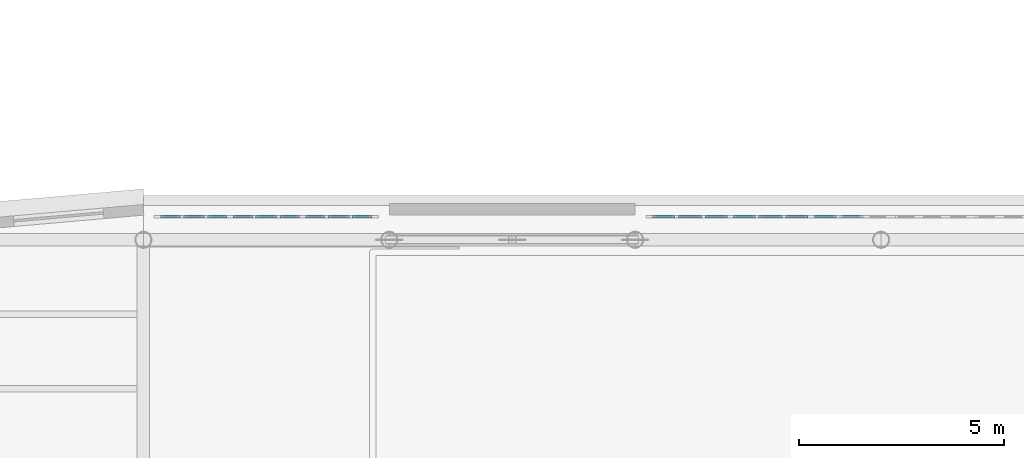
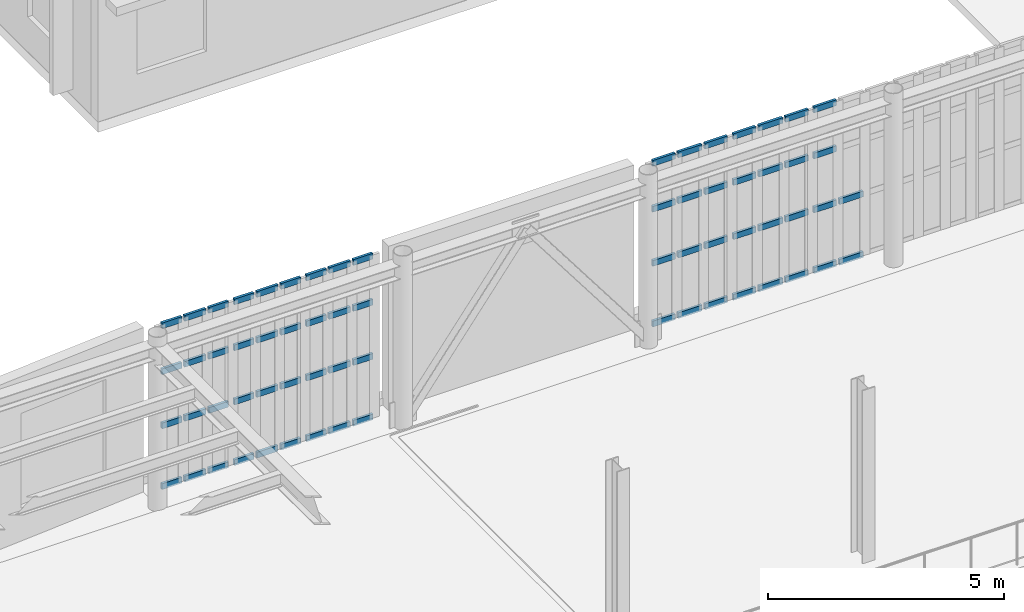
# One storey, part 39 of 91: 66 members, 6 elements without a shape of their own.
"""IFC4 building model written with IfcOpenShell, lengths in metres."""

import ifcopenshell
import ifcopenshell.guid

model = None  # the IFC model being written
_history = None  # IfcOwnerHistory: only IFC2X3 demands one
_inside = {}  # id of a spatial element -> (the spatial element, [elements in it])
_under = {}  # id of a project, library or spatial element -> (it, [spatial elements below it])
_declared = {}  # id of a project -> (the project, [libraries it declares])
_typed = {}  # id of a type object -> (the type object, [elements of that type])
_made_of = {}  # id of a material, layer set ... -> (it, [elements and type objects made of it])


def new_model(schema):
    """Start an empty IFC model of exactly this schema.

    Asked for "IFC4X3", IfcOpenShell would pick the latest addendum, in which some entities
    have other attributes; the version numbers below select the first issue.
    IFC2X3 requires an IfcOwnerHistory on every rooted entity: one is made here for all.
    """
    global model, _history
    if schema == "IFC4X3":
        model = ifcopenshell.file(schema_version=(4, 3, 0, 0))
    else:
        model = ifcopenshell.file(schema=schema)
    _inside.clear()
    _under.clear()
    _declared.clear()
    _typed.clear()
    _made_of.clear()
    _history = None
    if model.schema == "IFC2X3":
        org = make("IfcOrganization", Name="unknown")
        user = make(
            "IfcPersonAndOrganization",
            ThePerson=make("IfcPerson", FamilyName="unknown"),
            TheOrganization=org,
        )
        app = make(
            "IfcApplication",
            ApplicationDeveloper=org,
            Version="unknown",
            ApplicationFullName="unknown",
            ApplicationIdentifier="unknown",
        )
        _history = make(
            "IfcOwnerHistory",
            OwningUser=user,
            OwningApplication=app,
            ChangeAction="ADDED",
            CreationDate=0,
        )
    return model


def make(cls, **values):
    """One entity of the class cls with the attributes given. An attribute that is None is left unset."""
    return model.create_entity(
        cls, **{name: value for name, value in values.items() if value is not None}
    )


def rooted(cls, **values):
    """An entity with a GlobalId (a new one), such as an element, a storey or a relation."""
    return make(cls, GlobalId=ifcopenshell.guid.new(), OwnerHistory=_history, **values)


def si_unit(unit_type, name, prefix=None):
    """IfcSIUnit, for example si_unit("LENGTHUNIT", "METRE", prefix="MILLI")."""
    return make("IfcSIUnit", UnitType=unit_type, Prefix=prefix, Name=name)


def assignment(units):
    """IfcUnitAssignment: the units of a project."""
    return None if units is None else make("IfcUnitAssignment", Units=units)


def point(xyz):
    """IfcCartesianPoint."""
    return None if xyz is None else make("IfcCartesianPoint", Coordinates=xyz)


def direction(xyz):
    """IfcDirection."""
    return None if xyz is None else make("IfcDirection", DirectionRatios=xyz)


def frame(location, z_axis=None, x_axis=None):
    """IfcAxis2Placement3D, a coordinate frame: its origin and axes. An axis left out is left unset."""
    return make(
        "IfcAxis2Placement3D",
        Location=point(location),
        Axis=direction(z_axis),
        RefDirection=direction(x_axis),
    )


def frame_2d(location, x_axis=None):
    """IfcAxis2Placement2D, a coordinate frame in the plane: its origin and x axis."""
    return make(
        "IfcAxis2Placement2D", Location=point(location), RefDirection=direction(x_axis)
    )


def origin():
    """The frame at (0, 0, 0) with its axes left unset."""
    return frame((0.0, 0.0, 0.0))


def origin_2d():
    """The frame at (0, 0) in the plane with its x axis left unset."""
    return frame_2d((0.0, 0.0))


def place(relative_to, where):
    """IfcLocalPlacement: puts the frame where relative to a parent placement (None: the world)."""
    return make(
        "IfcLocalPlacement", PlacementRelTo=relative_to, RelativePlacement=where
    )


def context(
    kind, dimensions, precision=None, world=None, true_north=None, identifier=None
):
    """IfcGeometricRepresentationContext, for example the 3D "Model" context."""
    return make(
        "IfcGeometricRepresentationContext",
        ContextIdentifier=identifier,
        ContextType=kind,
        CoordinateSpaceDimension=dimensions,
        Precision=precision,
        WorldCoordinateSystem=world,
        TrueNorth=true_north,
    )


def subcontext(parent, identifier, kind, view, scale=None):
    """IfcGeometricRepresentationSubContext, for example "Body" below "Model"."""
    return make(
        "IfcGeometricRepresentationSubContext",
        ContextIdentifier=identifier,
        ContextType=kind,
        ParentContext=parent,
        TargetScale=scale,
        TargetView=view,
    )


def project(units=None, contexts=None):
    """IfcProject with its units and contexts."""
    return rooted(
        "IfcProject",
        Name="project",
        RepresentationContexts=contexts,
        UnitsInContext=assignment(units),
    )


def spatial(cls, under=None, at=None, **own):
    """A site, building, storey or space (cls), placed at a placement, below another one or the project."""
    s = rooted(cls, ObjectPlacement=at, **own)
    if under is not None:
        _under.setdefault(under.id(), (under, []))[1].append(s)
    return s


def profile(cls, at=None, kind="AREA", **sizes):
    """A parametric profile (cls). Its sizes go by their IFC names, for example OverallWidth=200.0."""
    return make(cls, ProfileType=kind, Position=at, **sizes)


def rectangle(**sizes):
    """IfcRectangleProfileDef."""
    return profile("IfcRectangleProfileDef", **sizes)


def extrude(swept, where, along, depth):
    """IfcExtrudedAreaSolid: the profile swept, set in the frame where, extruded along a direction by depth."""
    return make(
        "IfcExtrudedAreaSolid",
        SweptArea=swept,
        Position=where,
        ExtrudedDirection=direction(along),
        Depth=depth,
    )


def shape(context_of_items, identifier, shape_type, items):
    """IfcShapeRepresentation: the items that make up one representation, for example the "Body"."""
    return make(
        "IfcShapeRepresentation",
        ContextOfItems=context_of_items,
        RepresentationIdentifier=identifier,
        RepresentationType=shape_type,
        Items=items,
    )


def material(Name=None, Category=None):
    """IfcMaterial."""
    return make("IfcMaterial", Name=Name, Category=Category)


def material_profile(
    of_material, cross_section, Name=None, Category=None, Priority=None
):
    """IfcMaterialProfile: a cross section and its material."""
    return make(
        "IfcMaterialProfile",
        Name=Name,
        Material=of_material,
        Profile=cross_section,
        Priority=Priority,
        Category=Category,
    )


def profile_set(profiles, Name=None, composite=None):
    """IfcMaterialProfileSet."""
    return make(
        "IfcMaterialProfileSet",
        Name=Name,
        MaterialProfiles=profiles,
        CompositeProfile=composite,
    )


def made_of(thing, what):
    """Note that an element or type object is made of a material, layer set ...; save() writes the relation."""
    if what is not None:
        _made_of.setdefault(what.id(), (what, []))[1].append(thing)
    return thing


def type_object(cls, material=None, **own):
    """A type object (cls), such as IfcWallType, which elements share."""
    return made_of(rooted(cls, **own), material)


def element(
    cls,
    number,
    at=None,
    inside=None,
    cuts=None,
    type_object=None,
    material=None,
    context=None,
    identifier="Body",
    shape_type=None,
    held_by="IfcProductDefinitionShape",
    body=None,
    shapes=None,
    **own,
):
    """One element of the class cls, such as IfcWall. Its Tag is "e" and its number.

    at: its placement. inside: the storey or other place that contains it. cuts: it is an
    opening in that element (IfcRelVoidsElement). A single representation is given by context,
    identifier, shape_type and body (its items); several are given by shapes. held_by: the class
    of the entity that holds the representations. save() writes the other relations.
    """
    e = rooted(cls, Tag="e%d" % number, ObjectPlacement=at, **own)
    if body is not None:
        shapes = [shape(context, identifier, shape_type, body)]
    if shapes is not None:
        e.Representation = make(held_by, Representations=shapes)
    if inside is not None:
        _inside.setdefault(inside.id(), (inside, []))[1].append(e)
    if cuts is not None:
        rooted(
            "IfcRelVoidsElement", RelatingBuildingElement=cuts, RelatedOpeningElement=e
        )
    if type_object is not None:
        _typed.setdefault(type_object.id(), (type_object, []))[1].append(e)
    return made_of(e, material)


def aggregate(whole, parts):
    """IfcRelAggregates: a whole, such as a stair, and the parts it consists of."""
    return rooted("IfcRelAggregates", RelatingObject=whole, RelatedObjects=parts)


def save(model, path):
    """Write the relations noted so far, then the file.

    IfcRelAggregates (storeys below a building ...), IfcRelContainedInSpatialStructure (elements
    in a storey), IfcRelDefinesByType, IfcRelAssociatesMaterial and IfcRelDeclares: one each for
    every whole, place, type object, material and project.
    """
    for whole, parts in _under.values():
        aggregate(whole, parts)
    for where, things in _inside.values():
        rooted(
            "IfcRelContainedInSpatialStructure",
            RelatedElements=things,
            RelatingStructure=where,
        )
    for kind, things in _typed.values():
        rooted("IfcRelDefinesByType", RelatedObjects=things, RelatingType=kind)
    for what, things in _made_of.values():
        rooted("IfcRelAssociatesMaterial", RelatedObjects=things, RelatingMaterial=what)
    for by, libraries in _declared.values():
        rooted("IfcRelDeclares", RelatingContext=by, RelatedDefinitions=libraries)
    model.write(path)


model = new_model("IFC4")

# Units and contexts
model_context = context("Model", 3, precision=1e-05, world=origin(), true_north=direction((0.0, 1.0)))
body_context = subcontext(model_context, "Body", "Model", "MODEL_VIEW")
ifc_project = project(units=[si_unit("LENGTHUNIT", "METRE"), si_unit("AREAUNIT", "SQUARE_METRE"), si_unit("VOLUMEUNIT", "CUBIC_METRE"), si_unit("PLANEANGLEUNIT", "RADIAN"), si_unit("MASSUNIT", "GRAM", prefix="KILO")], contexts=[model_context])

# Site, building, storey
site_placement = place(None, origin())
site = spatial("IfcSite", under=ifc_project, at=site_placement, CompositionType="ELEMENT")
building_placement = place(site_placement, origin())
building = spatial("IfcBuilding", under=site, at=building_placement, Name="Kolvaren Corner Interchange", CompositionType="ELEMENT")
storey_placement = place(building_placement, frame((0.0, 0.0, 6.0)))
storey = spatial("IfcBuildingStorey", under=building, at=storey_placement, Name="L02", CompositionType="ELEMENT", Elevation=6.0)

# Curtain wall, members
ifc_material_1 = material(Name="Unitised Aluminium and Solar-Control Glass Curtain Wall", Category="aluminium")
curtain_wall_type = type_object("IfcCurtainWallType", Name="CW-V1-NORTH", PredefinedType="NOTDEFINED", material=ifc_material_1)
curtain_wall_1_placement = place(storey_placement, origin())
curtain_wall_1 = element("IfcCurtainWall", 1, at=curtain_wall_1_placement, inside=storey, type_object=curtain_wall_type, Name="North Concourse West Curtain Wall Bay 01", PredefinedType="NOTDEFINED")
ifc_material_2 = material(Name="Anodised Aluminium Framing", Category="aluminium")
ifc_material_profile = material_profile(ifc_material_2, rectangle(XDim=0.06494140625, YDim=0.14990234375, at=origin_2d()), Name="ALU 65x150")
ifc_profile_set = profile_set([ifc_material_profile], Name="Anodised Aluminium Framing")
member_type = type_object("IfcMemberType", Name="TRN-ALU65x150", PredefinedType="USERDEFINED", material=ifc_profile_set)
member_1_placement = place(storey_placement, frame((65.580078125, 71.659912109375, 0.032470703125), z_axis=(-1.0, 0.0, 0.0), x_axis=(0.0, -1.0, 0.0)))
member_1 = element("IfcMember", 2, at=member_1_placement, type_object=member_type, Name="CW-055 transom 1.1", ObjectType="TRANSOM", PredefinedType="USERDEFINED", context=body_context, shape_type="SweptSolid", body=[
    extrude(rectangle(XDim=0.06494140625, YDim=0.14990234375, at=origin_2d()), origin(), (0.0, 0.0, 1.0), 0.48388671875),
])
member_2_placement = place(storey_placement, frame((65.580078125, 71.659912109375, 1.60009765625), z_axis=(-1.0, 0.0, 0.0), x_axis=(0.0, -1.0, 0.0)))
member_2 = element("IfcMember", 3, at=member_2_placement, type_object=member_type, Name="CW-055 transom 1.2", ObjectType="TRANSOM", PredefinedType="USERDEFINED", context=body_context, shape_type="SweptSolid", body=[
    extrude(rectangle(XDim=0.06494140625, YDim=0.14990234375, at=origin_2d()), origin(), (0.0, 0.0, 1.0), 0.48388671875),
])
member_3_placement = place(storey_placement, frame((65.580078125, 71.659912109375, 3.0), z_axis=(-1.0, 0.0, 0.0), x_axis=(0.0, -1.0, 0.0)))
member_3 = element("IfcMember", 4, at=member_3_placement, type_object=member_type, Name="CW-055 transom 1.3", ObjectType="TRANSOM", PredefinedType="USERDEFINED", context=body_context, shape_type="SweptSolid", body=[
    extrude(rectangle(XDim=0.06494140625, YDim=0.14990234375, at=origin_2d()), origin(), (0.0, 0.0, 1.0), 0.48388671875),
])
member_4_placement = place(storey_placement, frame((65.580078125, 71.659912109375, 4.1875), z_axis=(-1.0, 0.0, 0.0), x_axis=(0.0, -1.0, 0.0)))
member_4 = element("IfcMember", 5, at=member_4_placement, type_object=member_type, Name="CW-055 transom 1.4", ObjectType="TRANSOM", PredefinedType="USERDEFINED", context=body_context, shape_type="SweptSolid", body=[
    extrude(rectangle(XDim=0.06494140625, YDim=0.14990234375, at=origin_2d()), origin(), (0.0, 0.0, 1.0), 0.48388671875),
])
member_5_placement = place(storey_placement, frame((65.026123046875, 71.659912109375, 0.032470703125), z_axis=(-1.0, 0.0, 0.0), x_axis=(0.0, -1.0, 0.0)))
member_5 = element("IfcMember", 6, at=member_5_placement, type_object=member_type, Name="CW-055 transom 2.1", ObjectType="TRANSOM", PredefinedType="USERDEFINED", context=body_context, shape_type="SweptSolid", body=[
    extrude(rectangle(XDim=0.06494140625, YDim=0.14990234375, at=origin_2d()), origin(), (0.0, 0.0, 1.0), 0.51904296875),
])
member_6_placement = place(storey_placement, frame((65.026123046875, 71.659912109375, 1.60009765625), z_axis=(-1.0, 0.0, 0.0), x_axis=(0.0, -1.0, 0.0)))
member_6 = element("IfcMember", 7, at=member_6_placement, type_object=member_type, Name="CW-055 transom 2.2", ObjectType="TRANSOM", PredefinedType="USERDEFINED", context=body_context, shape_type="SweptSolid", body=[
    extrude(rectangle(XDim=0.06494140625, YDim=0.14990234375, at=origin_2d()), origin(), (0.0, 0.0, 1.0), 0.51904296875),
])
member_7_placement = place(storey_placement, frame((65.026123046875, 71.659912109375, 3.0), z_axis=(-1.0, 0.0, 0.0), x_axis=(0.0, -1.0, 0.0)))
member_7 = element("IfcMember", 8, at=member_7_placement, type_object=member_type, Name="CW-055 transom 2.3", ObjectType="TRANSOM", PredefinedType="USERDEFINED", context=body_context, shape_type="SweptSolid", body=[
    extrude(rectangle(XDim=0.06494140625, YDim=0.14990234375, at=origin_2d()), origin(), (0.0, 0.0, 1.0), 0.51904296875),
])
member_8_placement = place(storey_placement, frame((65.026123046875, 71.659912109375, 4.1875), z_axis=(-1.0, 0.0, 0.0), x_axis=(0.0, -1.0, 0.0)))
member_8 = element("IfcMember", 9, at=member_8_placement, type_object=member_type, Name="CW-055 transom 2.4", ObjectType="TRANSOM", PredefinedType="USERDEFINED", context=body_context, shape_type="SweptSolid", body=[
    extrude(rectangle(XDim=0.06494140625, YDim=0.14990234375, at=origin_2d()), origin(), (0.0, 0.0, 1.0), 0.51904296875),
])
member_9_placement = place(storey_placement, frame((64.437255859375, 71.659912109375, 0.032470703125), z_axis=(-1.0, 0.0, 0.0), x_axis=(0.0, -1.0, 0.0)))
member_9 = element("IfcMember", 10, at=member_9_placement, type_object=member_type, Name="CW-055 transom 3.1", ObjectType="TRANSOM", PredefinedType="USERDEFINED", context=body_context, shape_type="SweptSolid", body=[
    extrude(rectangle(XDim=0.06494140625, YDim=0.14990234375, at=origin_2d()), origin(), (0.0, 0.0, 1.0), 0.48388671875),
])
member_10_placement = place(storey_placement, frame((64.437255859375, 71.659912109375, 1.60009765625), z_axis=(-1.0, 0.0, 0.0), x_axis=(0.0, -1.0, 0.0)))
member_10 = element("IfcMember", 11, at=member_10_placement, type_object=member_type, Name="CW-055 transom 3.2", ObjectType="TRANSOM", PredefinedType="USERDEFINED", context=body_context, shape_type="SweptSolid", body=[
    extrude(rectangle(XDim=0.06494140625, YDim=0.14990234375, at=origin_2d()), origin(), (0.0, 0.0, 1.0), 0.48388671875),
])
member_11_placement = place(storey_placement, frame((64.437255859375, 71.659912109375, 3.0), z_axis=(-1.0, 0.0, 0.0), x_axis=(0.0, -1.0, 0.0)))
member_11 = element("IfcMember", 12, at=member_11_placement, type_object=member_type, Name="CW-055 transom 3.3", ObjectType="TRANSOM", PredefinedType="USERDEFINED", context=body_context, shape_type="SweptSolid", body=[
    extrude(rectangle(XDim=0.06494140625, YDim=0.14990234375, at=origin_2d()), origin(), (0.0, 0.0, 1.0), 0.48388671875),
])
member_12_placement = place(storey_placement, frame((64.437255859375, 71.659912109375, 4.1875), z_axis=(-1.0, 0.0, 0.0), x_axis=(0.0, -1.0, 0.0)))
member_12 = element("IfcMember", 13, at=member_12_placement, type_object=member_type, Name="CW-055 transom 3.4", ObjectType="TRANSOM", PredefinedType="USERDEFINED", context=body_context, shape_type="SweptSolid", body=[
    extrude(rectangle(XDim=0.06494140625, YDim=0.14990234375, at=origin_2d()), origin(), (0.0, 0.0, 1.0), 0.48388671875),
])
aggregate(curtain_wall_1, [member_1, member_2, member_3, member_4, member_5, member_6, member_7, member_8, member_9, member_10, member_11, member_12])

curtain_wall_2_placement = place(storey_placement, origin())
curtain_wall_2 = element("IfcCurtainWall", 14, at=curtain_wall_2_placement, inside=storey, type_object=curtain_wall_type, Name="North Concourse West Curtain Wall Bay 02", PredefinedType="NOTDEFINED")
member_13_placement = place(storey_placement, frame((63.813232421875, 71.659912109375, 0.032470703125), z_axis=(-1.0, 0.0, 0.0), x_axis=(0.0, -1.0, 0.0)))
member_13 = element("IfcMember", 15, at=member_13_placement, type_object=member_type, Name="CW-056 transom 1.1", ObjectType="TRANSOM", PredefinedType="USERDEFINED", context=body_context, shape_type="SweptSolid", body=[
    extrude(rectangle(XDim=0.06494140625, YDim=0.14990234375, at=origin_2d()), origin(), (0.0, 0.0, 1.0), 0.48388671875),
])
member_14_placement = place(storey_placement, frame((63.813232421875, 71.659912109375, 1.60009765625), z_axis=(-1.0, 0.0, 0.0), x_axis=(0.0, -1.0, 0.0)))
member_14 = element("IfcMember", 16, at=member_14_placement, type_object=member_type, Name="CW-056 transom 1.2", ObjectType="TRANSOM", PredefinedType="USERDEFINED", context=body_context, shape_type="SweptSolid", body=[
    extrude(rectangle(XDim=0.06494140625, YDim=0.14990234375, at=origin_2d()), origin(), (0.0, 0.0, 1.0), 0.48388671875),
])
member_15_placement = place(storey_placement, frame((63.813232421875, 71.659912109375, 3.0), z_axis=(-1.0, 0.0, 0.0), x_axis=(0.0, -1.0, 0.0)))
member_15 = element("IfcMember", 17, at=member_15_placement, type_object=member_type, Name="CW-056 transom 1.3", ObjectType="TRANSOM", PredefinedType="USERDEFINED", context=body_context, shape_type="SweptSolid", body=[
    extrude(rectangle(XDim=0.06494140625, YDim=0.14990234375, at=origin_2d()), origin(), (0.0, 0.0, 1.0), 0.48388671875),
])
member_16_placement = place(storey_placement, frame((63.813232421875, 71.659912109375, 4.1875), z_axis=(-1.0, 0.0, 0.0), x_axis=(0.0, -1.0, 0.0)))
member_16 = element("IfcMember", 18, at=member_16_placement, type_object=member_type, Name="CW-056 transom 1.4", ObjectType="TRANSOM", PredefinedType="USERDEFINED", context=body_context, shape_type="SweptSolid", body=[
    extrude(rectangle(XDim=0.06494140625, YDim=0.14990234375, at=origin_2d()), origin(), (0.0, 0.0, 1.0), 0.48388671875),
])
member_17_placement = place(storey_placement, frame((63.259521484375, 71.659912109375, 0.032470703125), z_axis=(-1.0, 0.0, 0.0), x_axis=(0.0, -1.0, 0.0)))
member_17 = element("IfcMember", 19, at=member_17_placement, type_object=member_type, Name="CW-056 transom 2.1", ObjectType="TRANSOM", PredefinedType="USERDEFINED", context=body_context, shape_type="SweptSolid", body=[
    extrude(rectangle(XDim=0.06494140625, YDim=0.14990234375, at=origin_2d()), origin(), (0.0, 0.0, 1.0), 0.51904296875),
])
member_18_placement = place(storey_placement, frame((63.259521484375, 71.659912109375, 1.60009765625), z_axis=(-1.0, 0.0, 0.0), x_axis=(0.0, -1.0, 0.0)))
member_18 = element("IfcMember", 20, at=member_18_placement, type_object=member_type, Name="CW-056 transom 2.2", ObjectType="TRANSOM", PredefinedType="USERDEFINED", context=body_context, shape_type="SweptSolid", body=[
    extrude(rectangle(XDim=0.06494140625, YDim=0.14990234375, at=origin_2d()), origin(), (0.0, 0.0, 1.0), 0.51904296875),
])
member_19_placement = place(storey_placement, frame((63.259521484375, 71.659912109375, 3.0), z_axis=(-1.0, 0.0, 0.0), x_axis=(0.0, -1.0, 0.0)))
member_19 = element("IfcMember", 21, at=member_19_placement, type_object=member_type, Name="CW-056 transom 2.3", ObjectType="TRANSOM", PredefinedType="USERDEFINED", context=body_context, shape_type="SweptSolid", body=[
    extrude(rectangle(XDim=0.06494140625, YDim=0.14990234375, at=origin_2d()), origin(), (0.0, 0.0, 1.0), 0.51904296875),
])
member_20_placement = place(storey_placement, frame((63.259521484375, 71.659912109375, 4.1875), z_axis=(-1.0, 0.0, 0.0), x_axis=(0.0, -1.0, 0.0)))
member_20 = element("IfcMember", 22, at=member_20_placement, type_object=member_type, Name="CW-056 transom 2.4", ObjectType="TRANSOM", PredefinedType="USERDEFINED", context=body_context, shape_type="SweptSolid", body=[
    extrude(rectangle(XDim=0.06494140625, YDim=0.14990234375, at=origin_2d()), origin(), (0.0, 0.0, 1.0), 0.51904296875),
])
member_21_placement = place(storey_placement, frame((62.670654296875, 71.659912109375, 0.032470703125), z_axis=(-1.0, 0.0, 0.0), x_axis=(0.0, -1.0, 0.0)))
member_21 = element("IfcMember", 23, at=member_21_placement, type_object=member_type, Name="CW-056 transom 3.1", ObjectType="TRANSOM", PredefinedType="USERDEFINED", context=body_context, shape_type="SweptSolid", body=[
    extrude(rectangle(XDim=0.06494140625, YDim=0.14990234375, at=origin_2d()), origin(), (0.0, 0.0, 1.0), 0.48388671875),
])
member_22_placement = place(storey_placement, frame((62.670654296875, 71.659912109375, 1.60009765625), z_axis=(-1.0, 0.0, 0.0), x_axis=(0.0, -1.0, 0.0)))
member_22 = element("IfcMember", 24, at=member_22_placement, type_object=member_type, Name="CW-056 transom 3.2", ObjectType="TRANSOM", PredefinedType="USERDEFINED", context=body_context, shape_type="SweptSolid", body=[
    extrude(rectangle(XDim=0.06494140625, YDim=0.14990234375, at=origin_2d()), origin(), (0.0, 0.0, 1.0), 0.48388671875),
])
member_23_placement = place(storey_placement, frame((62.670654296875, 71.659912109375, 3.0), z_axis=(-1.0, 0.0, 0.0), x_axis=(0.0, -1.0, 0.0)))
member_23 = element("IfcMember", 25, at=member_23_placement, type_object=member_type, Name="CW-056 transom 3.3", ObjectType="TRANSOM", PredefinedType="USERDEFINED", context=body_context, shape_type="SweptSolid", body=[
    extrude(rectangle(XDim=0.06494140625, YDim=0.14990234375, at=origin_2d()), origin(), (0.0, 0.0, 1.0), 0.48388671875),
])
member_24_placement = place(storey_placement, frame((62.670654296875, 71.659912109375, 4.1875), z_axis=(-1.0, 0.0, 0.0), x_axis=(0.0, -1.0, 0.0)))
member_24 = element("IfcMember", 26, at=member_24_placement, type_object=member_type, Name="CW-056 transom 3.4", ObjectType="TRANSOM", PredefinedType="USERDEFINED", context=body_context, shape_type="SweptSolid", body=[
    extrude(rectangle(XDim=0.06494140625, YDim=0.14990234375, at=origin_2d()), origin(), (0.0, 0.0, 1.0), 0.48388671875),
])
aggregate(curtain_wall_2, [member_13, member_14, member_15, member_16, member_17, member_18, member_19, member_20, member_21, member_22, member_23, member_24])

curtain_wall_3_placement = place(storey_placement, origin())
curtain_wall_3 = element("IfcCurtainWall", 27, at=curtain_wall_3_placement, inside=storey, type_object=curtain_wall_type, Name="North Concourse West Curtain Wall Bay 03", PredefinedType="NOTDEFINED")
member_25_placement = place(storey_placement, frame((62.046630859375, 71.659912109375, 0.032470703125), z_axis=(-1.0, 0.0, 0.0), x_axis=(0.0, -1.0, 0.0)))
member_25 = element("IfcMember", 28, at=member_25_placement, type_object=member_type, Name="CW-057 transom 1.1", ObjectType="TRANSOM", PredefinedType="USERDEFINED", context=body_context, shape_type="SweptSolid", body=[
    extrude(rectangle(XDim=0.06494140625, YDim=0.14990234375, at=origin_2d()), origin(), (0.0, 0.0, 1.0), 0.48388671875),
])
member_26_placement = place(storey_placement, frame((62.046630859375, 71.659912109375, 1.60009765625), z_axis=(-1.0, 0.0, 0.0), x_axis=(0.0, -1.0, 0.0)))
member_26 = element("IfcMember", 29, at=member_26_placement, type_object=member_type, Name="CW-057 transom 1.2", ObjectType="TRANSOM", PredefinedType="USERDEFINED", context=body_context, shape_type="SweptSolid", body=[
    extrude(rectangle(XDim=0.06494140625, YDim=0.14990234375, at=origin_2d()), origin(), (0.0, 0.0, 1.0), 0.48388671875),
])
member_27_placement = place(storey_placement, frame((62.046630859375, 71.659912109375, 3.0), z_axis=(-1.0, 0.0, 0.0), x_axis=(0.0, -1.0, 0.0)))
member_27 = element("IfcMember", 30, at=member_27_placement, type_object=member_type, Name="CW-057 transom 1.3", ObjectType="TRANSOM", PredefinedType="USERDEFINED", context=body_context, shape_type="SweptSolid", body=[
    extrude(rectangle(XDim=0.06494140625, YDim=0.14990234375, at=origin_2d()), origin(), (0.0, 0.0, 1.0), 0.48388671875),
])
member_28_placement = place(storey_placement, frame((62.046630859375, 71.659912109375, 4.1875), z_axis=(-1.0, 0.0, 0.0), x_axis=(0.0, -1.0, 0.0)))
member_28 = element("IfcMember", 31, at=member_28_placement, type_object=member_type, Name="CW-057 transom 1.4", ObjectType="TRANSOM", PredefinedType="USERDEFINED", context=body_context, shape_type="SweptSolid", body=[
    extrude(rectangle(XDim=0.06494140625, YDim=0.14990234375, at=origin_2d()), origin(), (0.0, 0.0, 1.0), 0.48388671875),
])
member_29_placement = place(storey_placement, frame((61.492919921875, 71.659912109375, 0.032470703125), z_axis=(-1.0, 0.0, 0.0), x_axis=(0.0, -1.0, 0.0)))
member_29 = element("IfcMember", 32, at=member_29_placement, type_object=member_type, Name="CW-057 transom 2.1", ObjectType="TRANSOM", PredefinedType="USERDEFINED", context=body_context, shape_type="SweptSolid", body=[
    extrude(rectangle(XDim=0.06494140625, YDim=0.14990234375, at=origin_2d()), origin(), (0.0, 0.0, 1.0), 0.51904296875),
])
member_30_placement = place(storey_placement, frame((61.492919921875, 71.659912109375, 1.60009765625), z_axis=(-1.0, 0.0, 0.0), x_axis=(0.0, -1.0, 0.0)))
member_30 = element("IfcMember", 33, at=member_30_placement, type_object=member_type, Name="CW-057 transom 2.2", ObjectType="TRANSOM", PredefinedType="USERDEFINED", context=body_context, shape_type="SweptSolid", body=[
    extrude(rectangle(XDim=0.06494140625, YDim=0.14990234375, at=origin_2d()), origin(), (0.0, 0.0, 1.0), 0.51904296875),
])
member_31_placement = place(storey_placement, frame((61.492919921875, 71.659912109375, 3.0), z_axis=(-1.0, 0.0, 0.0), x_axis=(0.0, -1.0, 0.0)))
member_31 = element("IfcMember", 34, at=member_31_placement, type_object=member_type, Name="CW-057 transom 2.3", ObjectType="TRANSOM", PredefinedType="USERDEFINED", context=body_context, shape_type="SweptSolid", body=[
    extrude(rectangle(XDim=0.06494140625, YDim=0.14990234375, at=origin_2d()), origin(), (0.0, 0.0, 1.0), 0.51904296875),
])
member_32_placement = place(storey_placement, frame((61.492919921875, 71.659912109375, 4.1875), z_axis=(-1.0, 0.0, 0.0), x_axis=(0.0, -1.0, 0.0)))
member_32 = element("IfcMember", 35, at=member_32_placement, type_object=member_type, Name="CW-057 transom 2.4", ObjectType="TRANSOM", PredefinedType="USERDEFINED", context=body_context, shape_type="SweptSolid", body=[
    extrude(rectangle(XDim=0.06494140625, YDim=0.14990234375, at=origin_2d()), origin(), (0.0, 0.0, 1.0), 0.51904296875),
])
member_33_placement = place(storey_placement, frame((60.90380859375, 71.659912109375, 0.032470703125), z_axis=(-1.0, 0.0, 0.0), x_axis=(0.0, -1.0, 0.0)))
member_33 = element("IfcMember", 36, at=member_33_placement, type_object=member_type, Name="CW-057 transom 3.1", ObjectType="TRANSOM", PredefinedType="USERDEFINED", context=body_context, shape_type="SweptSolid", body=[
    extrude(rectangle(XDim=0.06494140625, YDim=0.14990234375, at=origin_2d()), origin(), (0.0, 0.0, 1.0), 0.48388671875),
])
member_34_placement = place(storey_placement, frame((60.90380859375, 71.659912109375, 1.60009765625), z_axis=(-1.0, 0.0, 0.0), x_axis=(0.0, -1.0, 0.0)))
member_34 = element("IfcMember", 37, at=member_34_placement, type_object=member_type, Name="CW-057 transom 3.2", ObjectType="TRANSOM", PredefinedType="USERDEFINED", context=body_context, shape_type="SweptSolid", body=[
    extrude(rectangle(XDim=0.06494140625, YDim=0.14990234375, at=origin_2d()), origin(), (0.0, 0.0, 1.0), 0.48388671875),
])
member_35_placement = place(storey_placement, frame((60.90380859375, 71.659912109375, 3.0), z_axis=(-1.0, 0.0, 0.0), x_axis=(0.0, -1.0, 0.0)))
member_35 = element("IfcMember", 38, at=member_35_placement, type_object=member_type, Name="CW-057 transom 3.3", ObjectType="TRANSOM", PredefinedType="USERDEFINED", context=body_context, shape_type="SweptSolid", body=[
    extrude(rectangle(XDim=0.06494140625, YDim=0.14990234375, at=origin_2d()), origin(), (0.0, 0.0, 1.0), 0.48388671875),
])
member_36_placement = place(storey_placement, frame((60.90380859375, 71.659912109375, 4.1875), z_axis=(-1.0, 0.0, 0.0), x_axis=(0.0, -1.0, 0.0)))
member_36 = element("IfcMember", 39, at=member_36_placement, type_object=member_type, Name="CW-057 transom 3.4", ObjectType="TRANSOM", PredefinedType="USERDEFINED", context=body_context, shape_type="SweptSolid", body=[
    extrude(rectangle(XDim=0.06494140625, YDim=0.14990234375, at=origin_2d()), origin(), (0.0, 0.0, 1.0), 0.48388671875),
])
aggregate(curtain_wall_3, [member_25, member_26, member_27, member_28, member_29, member_30, member_31, member_32, member_33, member_34, member_35, member_36])

curtain_wall_4_placement = place(storey_placement, origin())
curtain_wall_4 = element("IfcCurtainWall", 40, at=curtain_wall_4_placement, inside=storey, type_object=curtain_wall_type, Name="North Concourse Gallery Curtain Wall Bay 22", PredefinedType="NOTDEFINED")
member_37_placement = place(storey_placement, frame((77.570556640625, 71.659912109375, 0.032470703125), z_axis=(-1.0, 0.0, 0.0), x_axis=(0.0, -1.0, 0.0)))
member_37 = element("IfcMember", 41, at=member_37_placement, type_object=member_type, Name="CW-079 transom 2.1", ObjectType="TRANSOM", PredefinedType="USERDEFINED", context=body_context, shape_type="SweptSolid", body=[
    extrude(rectangle(XDim=0.06494140625, YDim=0.14990234375, at=origin_2d()), origin(), (0.0, 0.0, 1.0), 0.5869140625),
])
member_38_placement = place(storey_placement, frame((77.570556640625, 71.659912109375, 1.60009765625), z_axis=(-1.0, 0.0, 0.0), x_axis=(0.0, -1.0, 0.0)))
member_38 = element("IfcMember", 42, at=member_38_placement, type_object=member_type, Name="CW-079 transom 2.2", ObjectType="TRANSOM", PredefinedType="USERDEFINED", context=body_context, shape_type="SweptSolid", body=[
    extrude(rectangle(XDim=0.06494140625, YDim=0.14990234375, at=origin_2d()), origin(), (0.0, 0.0, 1.0), 0.5869140625),
])
member_39_placement = place(storey_placement, frame((76.91357421875, 71.659912109375, 0.032470703125), z_axis=(-1.0, 0.0, 0.0), x_axis=(0.0, -1.0, 0.0)))
member_39 = element("IfcMember", 43, at=member_39_placement, type_object=member_type, Name="CW-079 transom 3.1", ObjectType="TRANSOM", PredefinedType="USERDEFINED", context=body_context, shape_type="SweptSolid", body=[
    extrude(rectangle(XDim=0.06494140625, YDim=0.14990234375, at=origin_2d()), origin(), (0.0, 0.0, 1.0), 0.5517578125),
])
member_40_placement = place(storey_placement, frame((76.91357421875, 71.659912109375, 1.60009765625), z_axis=(-1.0, 0.0, 0.0), x_axis=(0.0, -1.0, 0.0)))
member_40 = element("IfcMember", 44, at=member_40_placement, type_object=member_type, Name="CW-079 transom 3.2", ObjectType="TRANSOM", PredefinedType="USERDEFINED", context=body_context, shape_type="SweptSolid", body=[
    extrude(rectangle(XDim=0.06494140625, YDim=0.14990234375, at=origin_2d()), origin(), (0.0, 0.0, 1.0), 0.5517578125),
])
member_41_placement = place(storey_placement, frame((76.91357421875, 71.659912109375, 3.0), z_axis=(-1.0, 0.0, 0.0), x_axis=(0.0, -1.0, 0.0)))
member_41 = element("IfcMember", 45, at=member_41_placement, type_object=member_type, Name="CW-079 transom 3.3", ObjectType="TRANSOM", PredefinedType="USERDEFINED", context=body_context, shape_type="SweptSolid", body=[
    extrude(rectangle(XDim=0.06494140625, YDim=0.14990234375, at=origin_2d()), origin(), (0.0, 0.0, 1.0), 0.5517578125),
])
member_42_placement = place(storey_placement, frame((76.91357421875, 71.659912109375, 4.1875), z_axis=(-1.0, 0.0, 0.0), x_axis=(0.0, -1.0, 0.0)))
member_42 = element("IfcMember", 46, at=member_42_placement, type_object=member_type, Name="CW-079 transom 3.4", ObjectType="TRANSOM", PredefinedType="USERDEFINED", context=body_context, shape_type="SweptSolid", body=[
    extrude(rectangle(XDim=0.06494140625, YDim=0.14990234375, at=origin_2d()), origin(), (0.0, 0.0, 1.0), 0.5517578125),
])
aggregate(curtain_wall_4, [member_37, member_38, member_39, member_40, member_41, member_42])

curtain_wall_5_placement = place(storey_placement, origin())
curtain_wall_5 = element("IfcCurtainWall", 47, at=curtain_wall_5_placement, inside=storey, type_object=curtain_wall_type, Name="North Concourse Gallery Curtain Wall Bay 23", PredefinedType="NOTDEFINED")
member_43_placement = place(storey_placement, frame((76.2216796875, 71.659912109375, 0.032470703125), z_axis=(-1.0, 0.0, 0.0), x_axis=(0.0, -1.0, 0.0)))
member_43 = element("IfcMember", 48, at=member_43_placement, type_object=member_type, Name="CW-080 transom 1.1", ObjectType="TRANSOM", PredefinedType="USERDEFINED", context=body_context, shape_type="SweptSolid", body=[
    extrude(rectangle(XDim=0.06494140625, YDim=0.14990234375, at=origin_2d()), origin(), (0.0, 0.0, 1.0), 0.552001953125),
])
member_44_placement = place(storey_placement, frame((76.2216796875, 71.659912109375, 1.60009765625), z_axis=(-1.0, 0.0, 0.0), x_axis=(0.0, -1.0, 0.0)))
member_44 = element("IfcMember", 49, at=member_44_placement, type_object=member_type, Name="CW-080 transom 1.2", ObjectType="TRANSOM", PredefinedType="USERDEFINED", context=body_context, shape_type="SweptSolid", body=[
    extrude(rectangle(XDim=0.06494140625, YDim=0.14990234375, at=origin_2d()), origin(), (0.0, 0.0, 1.0), 0.552001953125),
])
member_45_placement = place(storey_placement, frame((76.2216796875, 71.659912109375, 3.0), z_axis=(-1.0, 0.0, 0.0), x_axis=(0.0, -1.0, 0.0)))
member_45 = element("IfcMember", 50, at=member_45_placement, type_object=member_type, Name="CW-080 transom 1.3", ObjectType="TRANSOM", PredefinedType="USERDEFINED", context=body_context, shape_type="SweptSolid", body=[
    extrude(rectangle(XDim=0.06494140625, YDim=0.14990234375, at=origin_2d()), origin(), (0.0, 0.0, 1.0), 0.552001953125),
])
member_46_placement = place(storey_placement, frame((76.2216796875, 71.659912109375, 4.1875), z_axis=(-1.0, 0.0, 0.0), x_axis=(0.0, -1.0, 0.0)))
member_46 = element("IfcMember", 51, at=member_46_placement, type_object=member_type, Name="CW-080 transom 1.4", ObjectType="TRANSOM", PredefinedType="USERDEFINED", context=body_context, shape_type="SweptSolid", body=[
    extrude(rectangle(XDim=0.06494140625, YDim=0.14990234375, at=origin_2d()), origin(), (0.0, 0.0, 1.0), 0.552001953125),
])
member_47_placement = place(storey_placement, frame((75.599853515625, 71.659912109375, 0.032470703125), z_axis=(-1.0, 0.0, 0.0), x_axis=(0.0, -1.0, 0.0)))
member_47 = element("IfcMember", 52, at=member_47_placement, type_object=member_type, Name="CW-080 transom 2.1", ObjectType="TRANSOM", PredefinedType="USERDEFINED", context=body_context, shape_type="SweptSolid", body=[
    extrude(rectangle(XDim=0.06494140625, YDim=0.14990234375, at=origin_2d()), origin(), (0.0, 0.0, 1.0), 0.587158203125),
])
member_48_placement = place(storey_placement, frame((75.599853515625, 71.659912109375, 1.60009765625), z_axis=(-1.0, 0.0, 0.0), x_axis=(0.0, -1.0, 0.0)))
member_48 = element("IfcMember", 53, at=member_48_placement, type_object=member_type, Name="CW-080 transom 2.2", ObjectType="TRANSOM", PredefinedType="USERDEFINED", context=body_context, shape_type="SweptSolid", body=[
    extrude(rectangle(XDim=0.06494140625, YDim=0.14990234375, at=origin_2d()), origin(), (0.0, 0.0, 1.0), 0.587158203125),
])
member_49_placement = place(storey_placement, frame((75.599853515625, 71.659912109375, 3.0), z_axis=(-1.0, 0.0, 0.0), x_axis=(0.0, -1.0, 0.0)))
member_49 = element("IfcMember", 54, at=member_49_placement, type_object=member_type, Name="CW-080 transom 2.3", ObjectType="TRANSOM", PredefinedType="USERDEFINED", context=body_context, shape_type="SweptSolid", body=[
    extrude(rectangle(XDim=0.06494140625, YDim=0.14990234375, at=origin_2d()), origin(), (0.0, 0.0, 1.0), 0.587158203125),
])
member_50_placement = place(storey_placement, frame((75.599853515625, 71.659912109375, 4.1875), z_axis=(-1.0, 0.0, 0.0), x_axis=(0.0, -1.0, 0.0)))
member_50 = element("IfcMember", 55, at=member_50_placement, type_object=member_type, Name="CW-080 transom 2.4", ObjectType="TRANSOM", PredefinedType="USERDEFINED", context=body_context, shape_type="SweptSolid", body=[
    extrude(rectangle(XDim=0.06494140625, YDim=0.14990234375, at=origin_2d()), origin(), (0.0, 0.0, 1.0), 0.587158203125),
])
member_51_placement = place(storey_placement, frame((74.94287109375, 71.659912109375, 0.032470703125), z_axis=(-1.0, 0.0, 0.0), x_axis=(0.0, -1.0, 0.0)))
member_51 = element("IfcMember", 56, at=member_51_placement, type_object=member_type, Name="CW-080 transom 3.1", ObjectType="TRANSOM", PredefinedType="USERDEFINED", context=body_context, shape_type="SweptSolid", body=[
    extrude(rectangle(XDim=0.06494140625, YDim=0.14990234375, at=origin_2d()), origin(), (0.0, 0.0, 1.0), 0.552001953125),
])
member_52_placement = place(storey_placement, frame((74.94287109375, 71.659912109375, 1.60009765625), z_axis=(-1.0, 0.0, 0.0), x_axis=(0.0, -1.0, 0.0)))
member_52 = element("IfcMember", 57, at=member_52_placement, type_object=member_type, Name="CW-080 transom 3.2", ObjectType="TRANSOM", PredefinedType="USERDEFINED", context=body_context, shape_type="SweptSolid", body=[
    extrude(rectangle(XDim=0.06494140625, YDim=0.14990234375, at=origin_2d()), origin(), (0.0, 0.0, 1.0), 0.552001953125),
])
member_53_placement = place(storey_placement, frame((74.94287109375, 71.659912109375, 3.0), z_axis=(-1.0, 0.0, 0.0), x_axis=(0.0, -1.0, 0.0)))
member_53 = element("IfcMember", 58, at=member_53_placement, type_object=member_type, Name="CW-080 transom 3.3", ObjectType="TRANSOM", PredefinedType="USERDEFINED", context=body_context, shape_type="SweptSolid", body=[
    extrude(rectangle(XDim=0.06494140625, YDim=0.14990234375, at=origin_2d()), origin(), (0.0, 0.0, 1.0), 0.552001953125),
])
member_54_placement = place(storey_placement, frame((74.94287109375, 71.659912109375, 4.1875), z_axis=(-1.0, 0.0, 0.0), x_axis=(0.0, -1.0, 0.0)))
member_54 = element("IfcMember", 59, at=member_54_placement, type_object=member_type, Name="CW-080 transom 3.4", ObjectType="TRANSOM", PredefinedType="USERDEFINED", context=body_context, shape_type="SweptSolid", body=[
    extrude(rectangle(XDim=0.06494140625, YDim=0.14990234375, at=origin_2d()), origin(), (0.0, 0.0, 1.0), 0.552001953125),
])
aggregate(curtain_wall_5, [member_43, member_44, member_45, member_46, member_47, member_48, member_49, member_50, member_51, member_52, member_53, member_54])

curtain_wall_6_placement = place(storey_placement, origin())
curtain_wall_6 = element("IfcCurtainWall", 60, at=curtain_wall_6_placement, inside=storey, type_object=curtain_wall_type, Name="North Concourse Gallery Curtain Wall Bay 24", PredefinedType="NOTDEFINED")
member_55_placement = place(storey_placement, frame((74.250732421875, 71.659912109375, 0.032470703125), z_axis=(-1.0, 0.0, 0.0), x_axis=(0.0, -1.0, 0.0)))
member_55 = element("IfcMember", 61, at=member_55_placement, type_object=member_type, Name="CW-081 transom 1.1", ObjectType="TRANSOM", PredefinedType="USERDEFINED", context=body_context, shape_type="SweptSolid", body=[
    extrude(rectangle(XDim=0.06494140625, YDim=0.14990234375, at=origin_2d()), origin(), (0.0, 0.0, 1.0), 0.5517578125),
])
member_56_placement = place(storey_placement, frame((74.250732421875, 71.659912109375, 1.60009765625), z_axis=(-1.0, 0.0, 0.0), x_axis=(0.0, -1.0, 0.0)))
member_56 = element("IfcMember", 62, at=member_56_placement, type_object=member_type, Name="CW-081 transom 1.2", ObjectType="TRANSOM", PredefinedType="USERDEFINED", context=body_context, shape_type="SweptSolid", body=[
    extrude(rectangle(XDim=0.06494140625, YDim=0.14990234375, at=origin_2d()), origin(), (0.0, 0.0, 1.0), 0.5517578125),
])
member_57_placement = place(storey_placement, frame((74.250732421875, 71.659912109375, 3.0), z_axis=(-1.0, 0.0, 0.0), x_axis=(0.0, -1.0, 0.0)))
member_57 = element("IfcMember", 63, at=member_57_placement, type_object=member_type, Name="CW-081 transom 1.3", ObjectType="TRANSOM", PredefinedType="USERDEFINED", context=body_context, shape_type="SweptSolid", body=[
    extrude(rectangle(XDim=0.06494140625, YDim=0.14990234375, at=origin_2d()), origin(), (0.0, 0.0, 1.0), 0.5517578125),
])
member_58_placement = place(storey_placement, frame((74.250732421875, 71.659912109375, 4.1875), z_axis=(-1.0, 0.0, 0.0), x_axis=(0.0, -1.0, 0.0)))
member_58 = element("IfcMember", 64, at=member_58_placement, type_object=member_type, Name="CW-081 transom 1.4", ObjectType="TRANSOM", PredefinedType="USERDEFINED", context=body_context, shape_type="SweptSolid", body=[
    extrude(rectangle(XDim=0.06494140625, YDim=0.14990234375, at=origin_2d()), origin(), (0.0, 0.0, 1.0), 0.5517578125),
])
member_59_placement = place(storey_placement, frame((73.62890625, 71.659912109375, 0.032470703125), z_axis=(-1.0, 0.0, 0.0), x_axis=(0.0, -1.0, 0.0)))
member_59 = element("IfcMember", 65, at=member_59_placement, type_object=member_type, Name="CW-081 transom 2.1", ObjectType="TRANSOM", PredefinedType="USERDEFINED", context=body_context, shape_type="SweptSolid", body=[
    extrude(rectangle(XDim=0.06494140625, YDim=0.14990234375, at=origin_2d()), origin(), (0.0, 0.0, 1.0), 0.5869140625),
])
member_60_placement = place(storey_placement, frame((73.62890625, 71.659912109375, 1.60009765625), z_axis=(-1.0, 0.0, 0.0), x_axis=(0.0, -1.0, 0.0)))
member_60 = element("IfcMember", 66, at=member_60_placement, type_object=member_type, Name="CW-081 transom 2.2", ObjectType="TRANSOM", PredefinedType="USERDEFINED", context=body_context, shape_type="SweptSolid", body=[
    extrude(rectangle(XDim=0.06494140625, YDim=0.14990234375, at=origin_2d()), origin(), (0.0, 0.0, 1.0), 0.5869140625),
])
member_61_placement = place(storey_placement, frame((73.62890625, 71.659912109375, 3.0), z_axis=(-1.0, 0.0, 0.0), x_axis=(0.0, -1.0, 0.0)))
member_61 = element("IfcMember", 67, at=member_61_placement, type_object=member_type, Name="CW-081 transom 2.3", ObjectType="TRANSOM", PredefinedType="USERDEFINED", context=body_context, shape_type="SweptSolid", body=[
    extrude(rectangle(XDim=0.06494140625, YDim=0.14990234375, at=origin_2d()), origin(), (0.0, 0.0, 1.0), 0.5869140625),
])
member_62_placement = place(storey_placement, frame((73.62890625, 71.659912109375, 4.1875), z_axis=(-1.0, 0.0, 0.0), x_axis=(0.0, -1.0, 0.0)))
member_62 = element("IfcMember", 68, at=member_62_placement, type_object=member_type, Name="CW-081 transom 2.4", ObjectType="TRANSOM", PredefinedType="USERDEFINED", context=body_context, shape_type="SweptSolid", body=[
    extrude(rectangle(XDim=0.06494140625, YDim=0.14990234375, at=origin_2d()), origin(), (0.0, 0.0, 1.0), 0.5869140625),
])
member_63_placement = place(storey_placement, frame((72.971923828125, 71.659912109375, 0.032470703125), z_axis=(-1.0, 0.0, 0.0), x_axis=(0.0, -1.0, 0.0)))
member_63 = element("IfcMember", 69, at=member_63_placement, type_object=member_type, Name="CW-081 transom 3.1", ObjectType="TRANSOM", PredefinedType="USERDEFINED", context=body_context, shape_type="SweptSolid", body=[
    extrude(rectangle(XDim=0.06494140625, YDim=0.14990234375, at=origin_2d()), origin(), (0.0, 0.0, 1.0), 0.552001953125),
])
member_64_placement = place(storey_placement, frame((72.971923828125, 71.659912109375, 1.60009765625), z_axis=(-1.0, 0.0, 0.0), x_axis=(0.0, -1.0, 0.0)))
member_64 = element("IfcMember", 70, at=member_64_placement, type_object=member_type, Name="CW-081 transom 3.2", ObjectType="TRANSOM", PredefinedType="USERDEFINED", context=body_context, shape_type="SweptSolid", body=[
    extrude(rectangle(XDim=0.06494140625, YDim=0.14990234375, at=origin_2d()), origin(), (0.0, 0.0, 1.0), 0.552001953125),
])
member_65_placement = place(storey_placement, frame((72.971923828125, 71.659912109375, 3.0), z_axis=(-1.0, 0.0, 0.0), x_axis=(0.0, -1.0, 0.0)))
member_65 = element("IfcMember", 71, at=member_65_placement, type_object=member_type, Name="CW-081 transom 3.3", ObjectType="TRANSOM", PredefinedType="USERDEFINED", context=body_context, shape_type="SweptSolid", body=[
    extrude(rectangle(XDim=0.06494140625, YDim=0.14990234375, at=origin_2d()), origin(), (0.0, 0.0, 1.0), 0.552001953125),
])
member_66_placement = place(storey_placement, frame((72.971923828125, 71.659912109375, 4.1875), z_axis=(-1.0, 0.0, 0.0), x_axis=(0.0, -1.0, 0.0)))
member_66 = element("IfcMember", 72, at=member_66_placement, type_object=member_type, Name="CW-081 transom 3.4", ObjectType="TRANSOM", PredefinedType="USERDEFINED", context=body_context, shape_type="SweptSolid", body=[
    extrude(rectangle(XDim=0.06494140625, YDim=0.14990234375, at=origin_2d()), origin(), (0.0, 0.0, 1.0), 0.552001953125),
])
aggregate(curtain_wall_6, [member_55, member_56, member_57, member_58, member_59, member_60, member_61, member_62, member_63, member_64, member_65, member_66])

save(model, "model.ifc")
